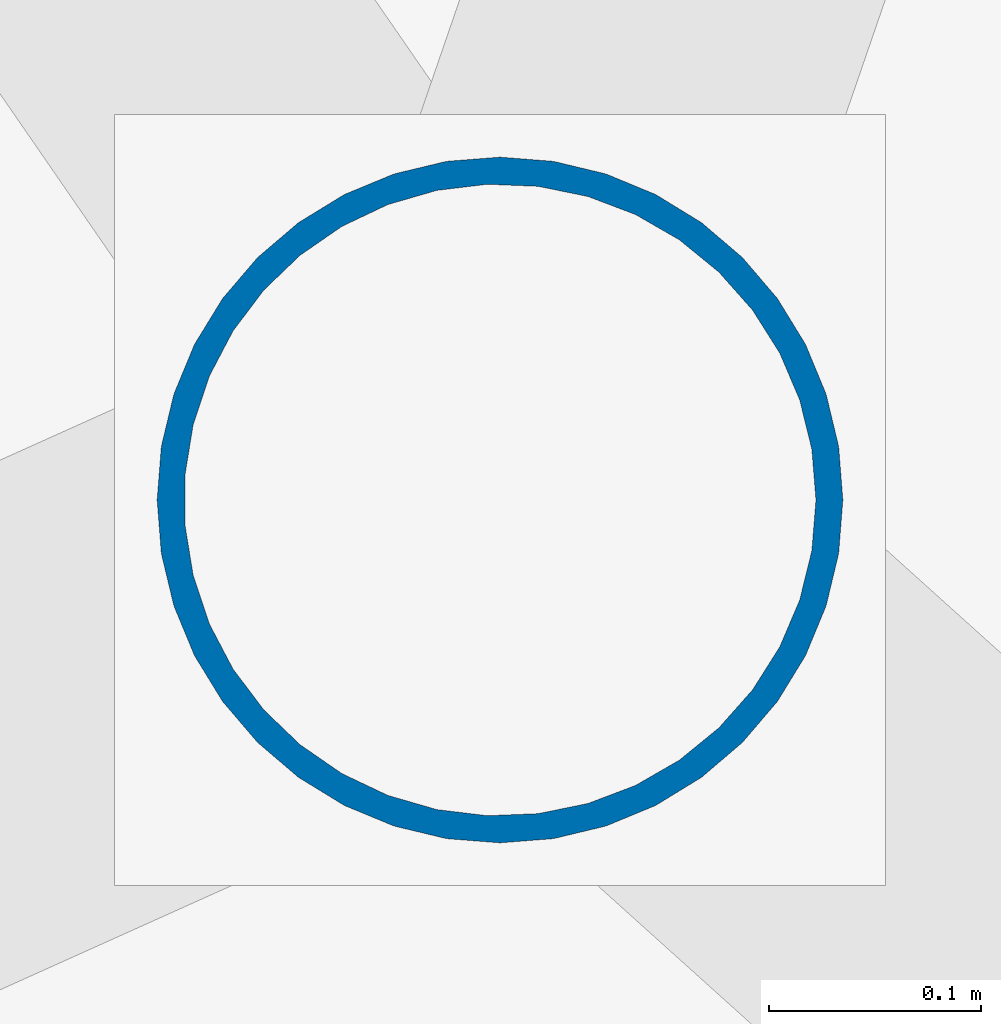
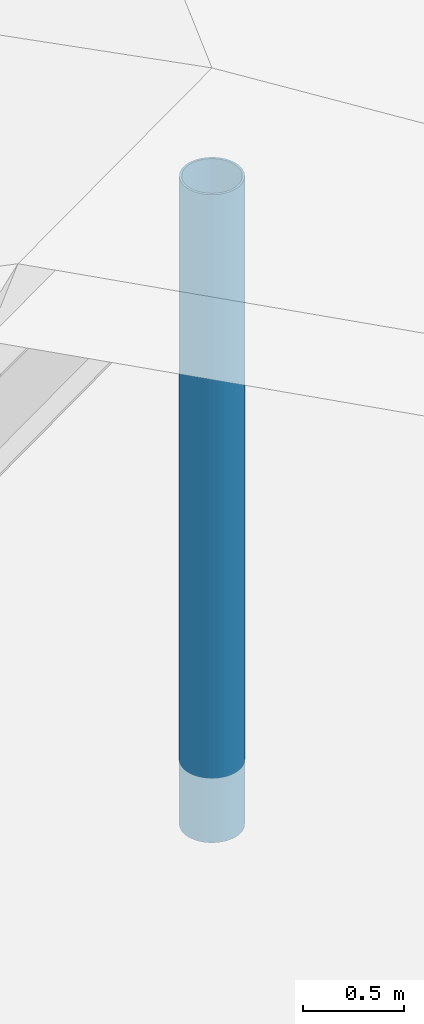
# One storey, part 8 of 79: 1 column.
"""IFC4 building model written with IfcOpenShell, lengths in metres."""

from ifc_helpers import new_model, si_unit, direction, frame, origin, origin_2d, place, context, subcontext, project, spatial, hollow_circle, extrude, material, material_profile, profile_set, type_object, element, save


model = new_model("IFC4")

# Units and contexts
model_context = context("Model", 3, precision=1e-05, world=origin(), true_north=direction((0.0, 1.0)))
body_context = subcontext(model_context, "Body", "Model", "MODEL_VIEW")
ifc_project = project(units=[si_unit("LENGTHUNIT", "METRE"), si_unit("AREAUNIT", "SQUARE_METRE"), si_unit("VOLUMEUNIT", "CUBIC_METRE"), si_unit("PLANEANGLEUNIT", "RADIAN"), si_unit("MASSUNIT", "GRAM", prefix="KILO")], contexts=[model_context])

# Site, building, storey
site_placement = place(None, origin())
site = spatial("IfcSite", under=ifc_project, at=site_placement, CompositionType="ELEMENT")
building_placement = place(site_placement, origin())
building = spatial("IfcBuilding", under=site, at=building_placement, Name="Tarnwether General Hospital", CompositionType="ELEMENT")
storey_placement = place(building_placement, frame((0.0, 0.0, 18.300048828125)))
storey = spatial("IfcBuildingStorey", under=building, at=storey_placement, Name="L04", CompositionType="ELEMENT", Elevation=18.300048828125)

# Column
ifc_material = material(Name="Steel Grade C350L0 (350 MPa)", Category="steel")
ifc_material_profile = material_profile(ifc_material, hollow_circle(Radius=0.161865234375, WallThickness=0.0126953125, at=origin_2d()), Name="CHS323.9x12.7")
ifc_profile_set = profile_set([ifc_material_profile], Name="Steel Grade C350L0 (350 MPa)")
column_type = type_object("IfcColumnType", Name="COL-26", PredefinedType="COLUMN", material=ifc_profile_set)
column_placement = place(storey_placement, frame((168.0, 10.800048828125, 0.0), z_axis=(0.0, 0.0, 1.0), x_axis=(1.0, 0.0, 0.0)))
element("IfcColumn", 1, at=column_placement, inside=storey, type_object=column_type, Name="Origami Roof King Post Column COL-ORIG-KP-V6S", PredefinedType="COLUMN", context=body_context, shape_type="SweptSolid", body=[
    extrude(hollow_circle(Radius=0.161865234375, WallThickness=0.0126953125, at=origin_2d()), origin(), (0.0, 0.0, 1.0), 3.89990234375),
])

save(model, "model.ifc")
